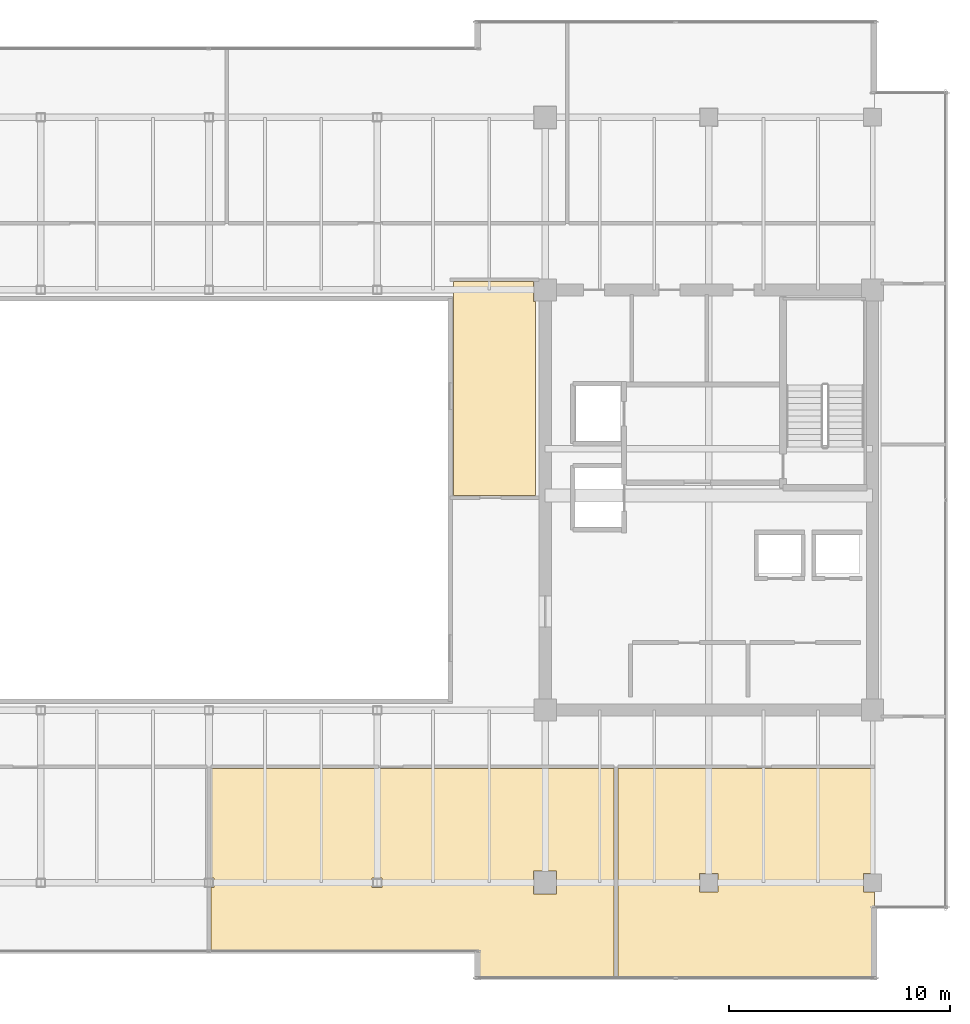
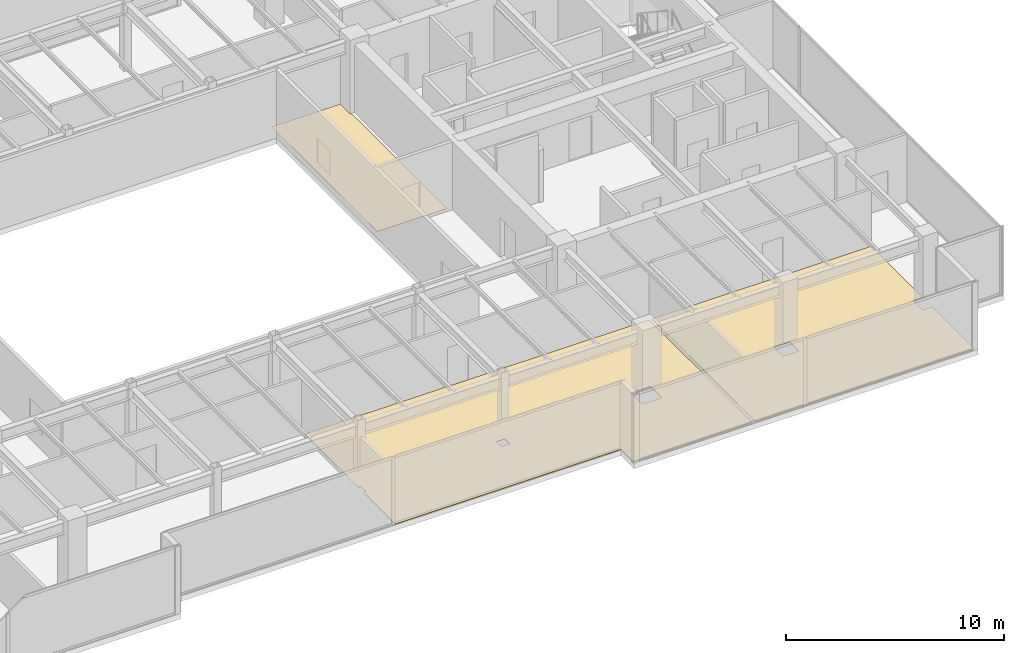
# One storey, part 34 of 36: 3 coverings.
"""IFC4 building model written with IfcOpenShell, lengths in metres."""

import ifcopenshell
import ifcopenshell.guid

model = None  # the IFC model being written
_history = None  # IfcOwnerHistory: only IFC2X3 demands one
_inside = {}  # id of a spatial element -> (the spatial element, [elements in it])
_under = {}  # id of a project, library or spatial element -> (it, [spatial elements below it])
_declared = {}  # id of a project -> (the project, [libraries it declares])
_typed = {}  # id of a type object -> (the type object, [elements of that type])
_made_of = {}  # id of a material, layer set ... -> (it, [elements and type objects made of it])


def new_model(schema):
    """Start an empty IFC model of exactly this schema.

    Asked for "IFC4X3", IfcOpenShell would pick the latest addendum, in which some entities
    have other attributes; the version numbers below select the first issue.
    IFC2X3 requires an IfcOwnerHistory on every rooted entity: one is made here for all.
    """
    global model, _history
    if schema == "IFC4X3":
        model = ifcopenshell.file(schema_version=(4, 3, 0, 0))
    else:
        model = ifcopenshell.file(schema=schema)
    _inside.clear()
    _under.clear()
    _declared.clear()
    _typed.clear()
    _made_of.clear()
    _history = None
    if model.schema == "IFC2X3":
        org = make("IfcOrganization", Name="unknown")
        user = make(
            "IfcPersonAndOrganization",
            ThePerson=make("IfcPerson", FamilyName="unknown"),
            TheOrganization=org,
        )
        app = make(
            "IfcApplication",
            ApplicationDeveloper=org,
            Version="unknown",
            ApplicationFullName="unknown",
            ApplicationIdentifier="unknown",
        )
        _history = make(
            "IfcOwnerHistory",
            OwningUser=user,
            OwningApplication=app,
            ChangeAction="ADDED",
            CreationDate=0,
        )
    return model


def make(cls, **values):
    """One entity of the class cls with the attributes given. An attribute that is None is left unset."""
    return model.create_entity(
        cls, **{name: value for name, value in values.items() if value is not None}
    )


def rooted(cls, **values):
    """An entity with a GlobalId (a new one), such as an element, a storey or a relation."""
    return make(cls, GlobalId=ifcopenshell.guid.new(), OwnerHistory=_history, **values)


def si_unit(unit_type, name, prefix=None):
    """IfcSIUnit, for example si_unit("LENGTHUNIT", "METRE", prefix="MILLI")."""
    return make("IfcSIUnit", UnitType=unit_type, Prefix=prefix, Name=name)


def assignment(units):
    """IfcUnitAssignment: the units of a project."""
    return None if units is None else make("IfcUnitAssignment", Units=units)


def point(xyz):
    """IfcCartesianPoint."""
    return None if xyz is None else make("IfcCartesianPoint", Coordinates=xyz)


def direction(xyz):
    """IfcDirection."""
    return None if xyz is None else make("IfcDirection", DirectionRatios=xyz)


def frame(location, z_axis=None, x_axis=None):
    """IfcAxis2Placement3D, a coordinate frame: its origin and axes. An axis left out is left unset."""
    return make(
        "IfcAxis2Placement3D",
        Location=point(location),
        Axis=direction(z_axis),
        RefDirection=direction(x_axis),
    )


def origin():
    """The frame at (0, 0, 0) with its axes left unset."""
    return frame((0.0, 0.0, 0.0))


def place(relative_to, where):
    """IfcLocalPlacement: puts the frame where relative to a parent placement (None: the world)."""
    return make(
        "IfcLocalPlacement", PlacementRelTo=relative_to, RelativePlacement=where
    )


def context(
    kind, dimensions, precision=None, world=None, true_north=None, identifier=None
):
    """IfcGeometricRepresentationContext, for example the 3D "Model" context."""
    return make(
        "IfcGeometricRepresentationContext",
        ContextIdentifier=identifier,
        ContextType=kind,
        CoordinateSpaceDimension=dimensions,
        Precision=precision,
        WorldCoordinateSystem=world,
        TrueNorth=true_north,
    )


def subcontext(parent, identifier, kind, view, scale=None):
    """IfcGeometricRepresentationSubContext, for example "Body" below "Model"."""
    return make(
        "IfcGeometricRepresentationSubContext",
        ContextIdentifier=identifier,
        ContextType=kind,
        ParentContext=parent,
        TargetScale=scale,
        TargetView=view,
    )


def project(units=None, contexts=None):
    """IfcProject with its units and contexts."""
    return rooted(
        "IfcProject",
        Name="project",
        RepresentationContexts=contexts,
        UnitsInContext=assignment(units),
    )


def spatial(cls, under=None, at=None, **own):
    """A site, building, storey or space (cls), placed at a placement, below another one or the project."""
    s = rooted(cls, ObjectPlacement=at, **own)
    if under is not None:
        _under.setdefault(under.id(), (under, []))[1].append(s)
    return s


def polyline(points):
    """IfcPolyline through the points."""
    return make("IfcPolyline", Points=[point(p) for p in points])


def outline(outer, holes=None, kind="AREA"):
    """IfcArbitraryClosedProfileDef: a profile drawn as a closed curve; with holes, ...WithVoids."""
    if holes is None:
        return make("IfcArbitraryClosedProfileDef", ProfileType=kind, OuterCurve=outer)
    return make(
        "IfcArbitraryProfileDefWithVoids",
        ProfileType=kind,
        OuterCurve=outer,
        InnerCurves=holes,
    )


def extrude(swept, where, along, depth):
    """IfcExtrudedAreaSolid: the profile swept, set in the frame where, extruded along a direction by depth."""
    return make(
        "IfcExtrudedAreaSolid",
        SweptArea=swept,
        Position=where,
        ExtrudedDirection=direction(along),
        Depth=depth,
    )


def shape(context_of_items, identifier, shape_type, items):
    """IfcShapeRepresentation: the items that make up one representation, for example the "Body"."""
    return make(
        "IfcShapeRepresentation",
        ContextOfItems=context_of_items,
        RepresentationIdentifier=identifier,
        RepresentationType=shape_type,
        Items=items,
    )


def material(Name=None, Category=None):
    """IfcMaterial."""
    return make("IfcMaterial", Name=Name, Category=Category)


def layer(
    of_material, thickness, ventilated=None, Name=None, Category=None, Priority=None
):
    """IfcMaterialLayer: one layer of a wall or slab, of a material (None: an air gap)."""
    return make(
        "IfcMaterialLayer",
        Material=of_material,
        LayerThickness=thickness,
        IsVentilated=ventilated,
        Name=Name,
        Category=Category,
        Priority=Priority,
    )


def layer_set(layers, Name=None):
    """IfcMaterialLayerSet."""
    return make("IfcMaterialLayerSet", MaterialLayers=layers, LayerSetName=Name)


def made_of(thing, what):
    """Note that an element or type object is made of a material, layer set ...; save() writes the relation."""
    if what is not None:
        _made_of.setdefault(what.id(), (what, []))[1].append(thing)
    return thing


def type_object(cls, material=None, **own):
    """A type object (cls), such as IfcWallType, which elements share."""
    return made_of(rooted(cls, **own), material)


def element(
    cls,
    number,
    at=None,
    inside=None,
    cuts=None,
    type_object=None,
    material=None,
    context=None,
    identifier="Body",
    shape_type=None,
    held_by="IfcProductDefinitionShape",
    body=None,
    shapes=None,
    **own,
):
    """One element of the class cls, such as IfcWall. Its Tag is "e" and its number.

    at: its placement. inside: the storey or other place that contains it. cuts: it is an
    opening in that element (IfcRelVoidsElement). A single representation is given by context,
    identifier, shape_type and body (its items); several are given by shapes. held_by: the class
    of the entity that holds the representations. save() writes the other relations.
    """
    e = rooted(cls, Tag="e%d" % number, ObjectPlacement=at, **own)
    if body is not None:
        shapes = [shape(context, identifier, shape_type, body)]
    if shapes is not None:
        e.Representation = make(held_by, Representations=shapes)
    if inside is not None:
        _inside.setdefault(inside.id(), (inside, []))[1].append(e)
    if cuts is not None:
        rooted(
            "IfcRelVoidsElement", RelatingBuildingElement=cuts, RelatedOpeningElement=e
        )
    if type_object is not None:
        _typed.setdefault(type_object.id(), (type_object, []))[1].append(e)
    return made_of(e, material)


def aggregate(whole, parts):
    """IfcRelAggregates: a whole, such as a stair, and the parts it consists of."""
    return rooted("IfcRelAggregates", RelatingObject=whole, RelatedObjects=parts)


def save(model, path):
    """Write the relations noted so far, then the file.

    IfcRelAggregates (storeys below a building ...), IfcRelContainedInSpatialStructure (elements
    in a storey), IfcRelDefinesByType, IfcRelAssociatesMaterial and IfcRelDeclares: one each for
    every whole, place, type object, material and project.
    """
    for whole, parts in _under.values():
        aggregate(whole, parts)
    for where, things in _inside.values():
        rooted(
            "IfcRelContainedInSpatialStructure",
            RelatedElements=things,
            RelatingStructure=where,
        )
    for kind, things in _typed.values():
        rooted("IfcRelDefinesByType", RelatedObjects=things, RelatingType=kind)
    for what, things in _made_of.values():
        rooted("IfcRelAssociatesMaterial", RelatedObjects=things, RelatingMaterial=what)
    for by, libraries in _declared.values():
        rooted("IfcRelDeclares", RelatingContext=by, RelatedDefinitions=libraries)
    model.write(path)


model = new_model("IFC4")

# Units and contexts
model_context = context("Model", 3, precision=1e-05, world=origin(), true_north=direction((0.0, 1.0)))
body_context = subcontext(model_context, "Body", "Model", "MODEL_VIEW")
ifc_project = project(units=[si_unit("LENGTHUNIT", "METRE"), si_unit("AREAUNIT", "SQUARE_METRE"), si_unit("VOLUMEUNIT", "CUBIC_METRE"), si_unit("PLANEANGLEUNIT", "RADIAN"), si_unit("MASSUNIT", "GRAM", prefix="KILO")], contexts=[model_context])

# Site, building, storey
site_placement = place(None, origin())
site = spatial("IfcSite", under=ifc_project, at=site_placement, CompositionType="ELEMENT")
building_placement = place(site_placement, origin())
building = spatial("IfcBuilding", under=site, at=building_placement, Name="Haelvirn Gate Laboratories", CompositionType="ELEMENT")
storey_placement = place(building_placement, frame((0.0, 0.0, 254.699951171875)))
storey = spatial("IfcBuildingStorey", under=building, at=storey_placement, Name="L61", CompositionType="ELEMENT", Elevation=254.699951171875)

# Coverings
ifc_material = material(Name="Seamless chemical-resistant epoxy laboratory flooring")
ifc_layer = layer(ifc_material, 0.01806640625, Name="COV-FLR-RESIN")
ifc_layer_set = layer_set([ifc_layer], Name="Seamless chemical-resistant epoxy laboratory flooring")
covering_type = type_object("IfcCoveringType", Name="COV-FLR-RESIN", PredefinedType="FLOORING", material=ifc_layer_set)
covering_1_placement = place(storey_placement, origin())
element("IfcCovering", 1, at=covering_1_placement, inside=storey, type_object=covering_type, Name="L61 Seamless Laboratory Flooring FLR-SP-L61-EATRIUM-POD", PredefinedType="FLOORING", context=body_context, shape_type="SweptSolid", body=[
    extrude(outline(polyline([(52.080078125, 34.179931640625), (52.080078125, 33.280029296875), (52.14990234375, 33.280029296875), (52.14990234375, 24.5), (48.449951171875, 24.5), (48.449951171875, 34.179931640625), (52.080078125, 34.179931640625)])), origin(), (0.0, 0.0, 1.0), 0.01806640625),
])
covering_2_placement = place(storey_placement, origin())
element("IfcCovering", 2, at=covering_2_placement, inside=storey, type_object=covering_type, Name="L61 Seamless Laboratory Flooring FLR-SP-L61-S-03", PredefinedType="FLOORING", context=body_context, shape_type="SweptSolid", body=[
    extrude(outline(polyline([(49.43994140625, 3.800048828125), (49.439697265625, 3.803955078125), (49.439208984375, 3.807861328125), (49.438232421875, 3.8115234375), (49.43701171875, 3.815185546875), (49.435302734375, 3.81884765625), (49.433349609375, 3.822265625), (49.430908203125, 3.825439453125), (49.42822265625, 3.828369140625), (49.42529296875, 3.830810546875), (49.422119140625, 3.833251953125), (49.4189453125, 3.835205078125), (49.415283203125, 3.8369140625), (49.41162109375, 3.83837890625), (49.40771484375, 3.839111328125), (49.40380859375, 3.83984375), (49.39990234375, 3.840087890625), (37.47998046875, 3.840087890625), (37.47998046875, 6.780029296875), (37.6201171875, 6.780029296875), (37.6201171875, 7.219970703125), (37.47998046875, 7.219970703125), (37.47998046875, 12.169921875), (55.719970703125, 12.169921875), (55.719970703125, 2.7099609375), (49.43994140625, 2.7099609375), (49.43994140625, 3.800048828125)]), holes=[polyline([(53.1201171875, 6.47998046875), (53.1201171875, 7.52001953125), (52.080078125, 7.52001953125), (52.080078125, 6.47998046875), (53.1201171875, 6.47998046875)]), polyline([(44.780029296875, 7.219970703125), (44.780029296875, 6.780029296875), (45.219970703125, 6.780029296875), (45.219970703125, 7.219970703125), (44.780029296875, 7.219970703125)])]), origin(), (0.0, 0.0, 1.0), 0.01806640625),
])
covering_3_placement = place(storey_placement, origin())
element("IfcCovering", 3, at=covering_3_placement, inside=storey, type_object=covering_type, Name="L61 Seamless Laboratory Flooring FLR-SP-L61-S-04", PredefinedType="FLOORING", context=body_context, shape_type="SweptSolid", body=[
    extrude(outline(polyline([(67.489990234375, 7.419921875), (66.97998046875, 7.419921875), (66.97998046875, 6.580078125), (67.489990234375, 6.580078125), (67.489990234375, 2.7099609375), (55.8798828125, 2.7099609375), (55.8798828125, 12.169921875), (67.489990234375, 12.169921875), (67.489990234375, 7.419921875)]), holes=[polyline([(59.580078125, 6.580078125), (60.419921875, 6.580078125), (60.419921875, 7.419921875), (59.580078125, 7.419921875), (59.580078125, 6.580078125)])]), origin(), (0.0, 0.0, 1.0), 0.01806640625),
])

save(model, "model.ifc")
